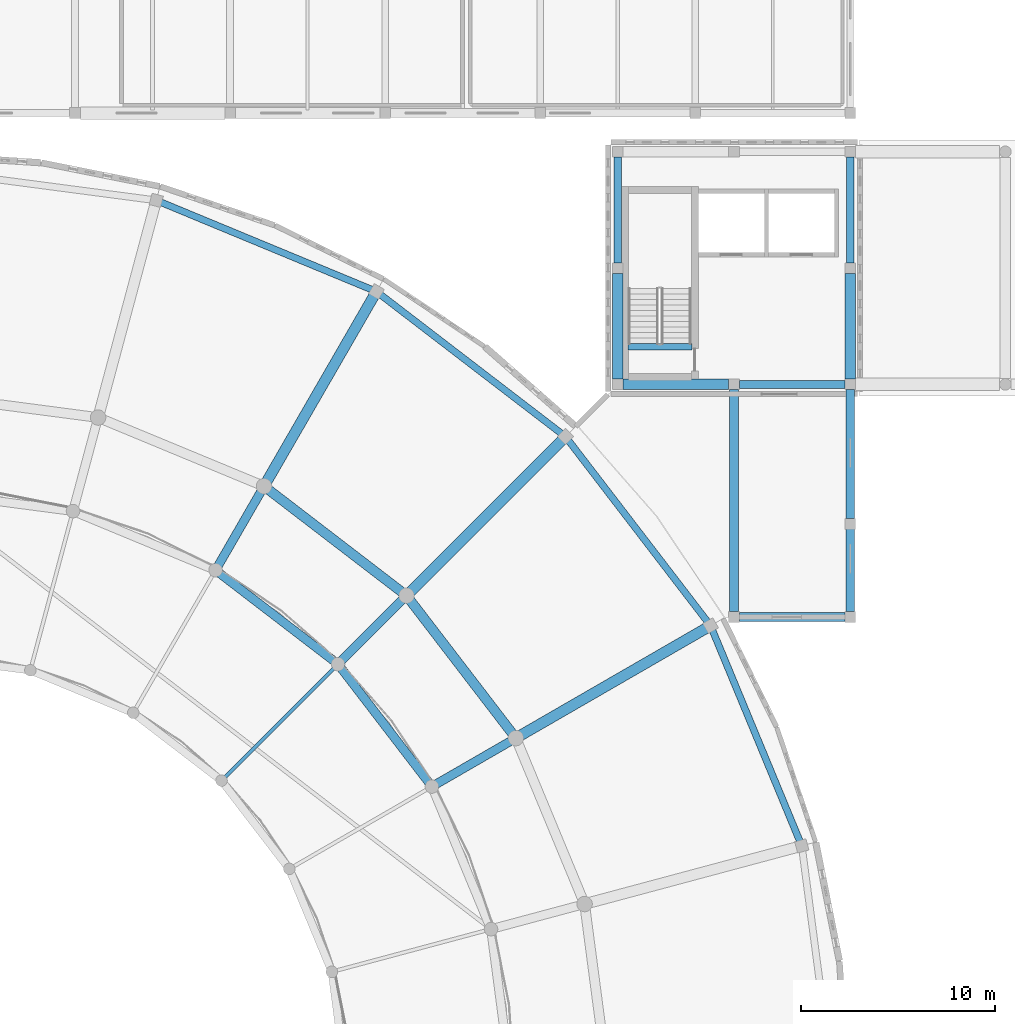
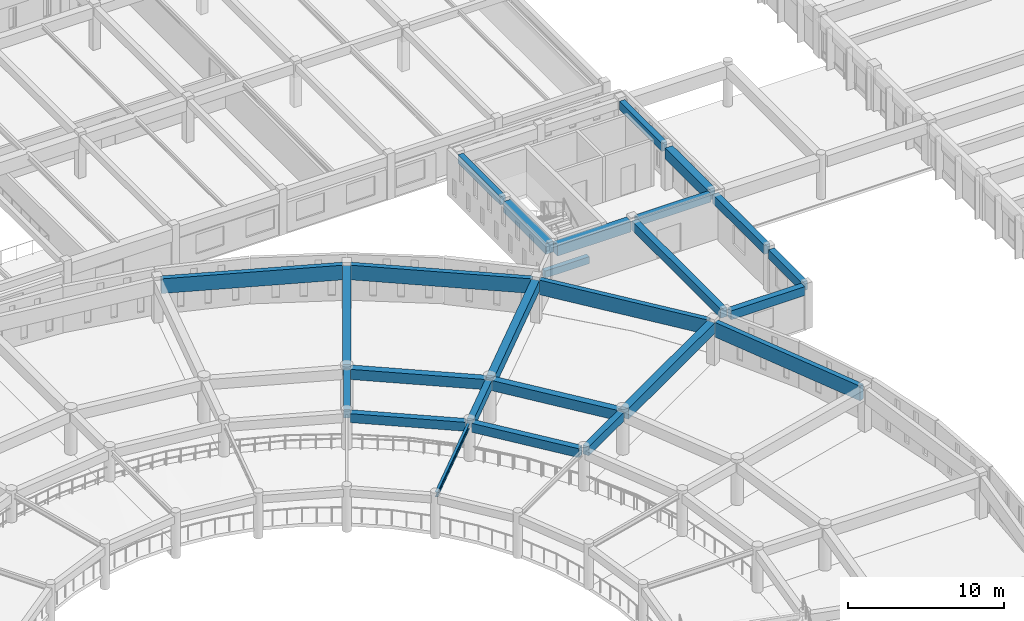
# One storey, part 21 of 155: 26 beams.
"""IFC4 building model written with IfcOpenShell, lengths in metres."""

from ifc_helpers import new_model, si_unit, direction, frame, origin, origin_2d, place, context, subcontext, project, spatial, rectangle, i_section, extrude, material, material_profile, profile_set, type_object, element, save


model = new_model("IFC4")

# Units and contexts
model_context = context("Model", 3, precision=1e-05, world=origin(), true_north=direction((0.0, 1.0)))
body_context = subcontext(model_context, "Body", "Model", "MODEL_VIEW")
ifc_project = project(units=[si_unit("LENGTHUNIT", "METRE"), si_unit("AREAUNIT", "SQUARE_METRE"), si_unit("VOLUMEUNIT", "CUBIC_METRE"), si_unit("PLANEANGLEUNIT", "RADIAN"), si_unit("MASSUNIT", "GRAM", prefix="KILO")], contexts=[model_context])

# Site, building, storey
site_placement = place(None, origin())
site = spatial("IfcSite", under=ifc_project, at=site_placement, CompositionType="ELEMENT")
building_placement = place(site_placement, origin())
building = spatial("IfcBuilding", under=site, at=building_placement, Name="Larkveld Mobility Hub", CompositionType="ELEMENT")
storey_placement = place(building_placement, frame((0.0, 0.0, 8.39990234375)))
storey = spatial("IfcBuildingStorey", under=building, at=storey_placement, Name="L02", CompositionType="ELEMENT", Elevation=8.39990234375)

# Beams
ifc_material_1 = material(Name="Concrete C40/50", Category="concrete")
ifc_material_profile_1 = material_profile(ifc_material_1, rectangle(XDim=0.35009765625, YDim=0.550048828125, at=origin_2d()), Name="RC BM 350x550")
ifc_profile_set_1 = profile_set([ifc_material_profile_1], Name="Concrete C40/50")
beam_type_1 = type_object("IfcBeamType", Name="BM-RC3555", PredefinedType="BEAM", material=ifc_profile_set_1)
beam_1_placement = place(storey_placement, frame((84.530029296875, 85.93994140625, -0.27001953125), z_axis=(1.0, 0.0, 0.0), x_axis=(0.0, 1.0, 0.0)))
element("IfcBeam", 1, at=beam_1_placement, inside=storey, type_object=beam_type_1, Name="Core C5 Stair Header Beam L02", PredefinedType="BEAM", context=body_context, shape_type="SweptSolid", body=[
    extrude(rectangle(XDim=0.35009765625, YDim=0.550048828125, at=origin_2d()), origin(), (0.0, 0.0, 1.0), 3.2900390625),
])
ifc_material_profile_2 = material_profile(ifc_material_1, rectangle(XDim=0.39990234375, YDim=0.64990234375, at=origin_2d()), Name="RC BM 400x650")
ifc_profile_set_2 = profile_set([ifc_material_profile_2], Name="Concrete C40/50")
beam_type_2 = type_object("IfcBeamType", Name="BM-RC4065", PredefinedType="BEAM", material=ifc_profile_set_2)
for number, where, z_axis, x_axis, name in (
    (2, (90.27490234375, 84.0, 3.03515625), (1.0, 0.0, 0.0), (0.0, 1.0, 0.0), "Primary E-W Girder L02-0527"),
    (3, (84.0, 90.27490234375, 3.03515625), (0.0, 1.0, 0.0), (-1.0, 0.0, 0.0), "Primary N-S Girder L02-0614"),
    (4, (96.0, 90.27490234375, 3.03515625), (0.0, 1.0, 0.0), (-1.0, 0.0, 0.0), "Primary N-S Girder L02-0619"),
):
    element("IfcBeam", number, at=place(storey_placement, frame(where, z_axis=z_axis, x_axis=x_axis)), inside=storey, type_object=beam_type_2, Name=name, PredefinedType="BEAM", context=body_context, shape_type="SweptSolid", body=[
        extrude(rectangle(XDim=0.39990234375, YDim=0.64990234375, at=origin_2d()), origin(), (0.0, 0.0, 1.0), 5.4501953125),
    ])
ifc_material_profile_3 = material_profile(ifc_material_1, rectangle(XDim=0.449951171875, YDim=0.699951171875, at=origin_2d()), Name="RC BM 450x700")
ifc_profile_set_3 = profile_set([ifc_material_profile_3], Name="Concrete C40/50")
beam_type_3 = type_object("IfcBeamType", Name="BM-RC4570", PredefinedType="BEAM", material=ifc_profile_set_3)
beam_2_placement = place(storey_placement, frame((90.27001953125, 72.0, 3.010009765625), z_axis=(1.0, 0.0, 0.0), x_axis=(0.0, 1.0, 0.0)))
element("IfcBeam", 5, at=beam_2_placement, inside=storey, type_object=beam_type_3, Name="Drum Link South Girder L02-0691", PredefinedType="BEAM", context=body_context, shape_type="SweptSolid", body=[
    extrude(rectangle(XDim=0.449951171875, YDim=0.699951171875, at=origin_2d()), origin(), (0.0, 0.0, 1.0), 5.4599609375),
])
beam_3_placement = place(storey_placement, frame((90.0, 72.27001953125, 3.010009765625), z_axis=(0.0, 1.0, 0.0), x_axis=(-1.0, 0.0, 0.0)))
element("IfcBeam", 6, at=beam_3_placement, inside=storey, type_object=beam_type_3, Name="Drum Link Spine Girder L02-0691", PredefinedType="BEAM", context=body_context, shape_type="SweptSolid", body=[
    extrude(rectangle(XDim=0.449951171875, YDim=0.699951171875, at=origin_2d()), origin(), (0.0, 0.0, 1.0), 11.4599609375),
])
beam_4_placement = place(storey_placement, frame((96.0, 72.27001953125, 3.010009765625), z_axis=(0.0, 1.0, 0.0), x_axis=(-1.0, 0.0, 0.0)))
element("IfcBeam", 7, at=beam_4_placement, inside=storey, type_object=beam_type_3, Name="Drum Link East Girder L02-0691", PredefinedType="BEAM", context=body_context, shape_type="SweptSolid", body=[
    extrude(rectangle(XDim=0.449951171875, YDim=0.699951171875, at=origin_2d()), origin(), (0.0, 0.0, 1.0), 4.260009765625),
])
beam_5_placement = place(storey_placement, frame((96.0, 77.070068359375, 3.010009765625), z_axis=(0.0, 1.0, 0.0), x_axis=(-1.0, 0.0, 0.0)))
element("IfcBeam", 8, at=beam_5_placement, inside=storey, type_object=beam_type_3, Name="Drum Link East Girder L02-0691", PredefinedType="BEAM", context=body_context, shape_type="SweptSolid", body=[
    extrude(rectangle(XDim=0.449951171875, YDim=0.699951171875, at=origin_2d()), origin(), (0.0, 0.0, 1.0), 6.659912109375),
])
beam_6_placement = place(storey_placement, frame((74.6220703125, 63.3701171875, 2.985107421875), z_axis=(0.86601375827, 0.50002017008, 0.0), x_axis=(-0.50002017008, 0.86601375827, 0.0)))
element("IfcBeam", 9, at=beam_6_placement, inside=storey, type_object=beam_type_3, Name="Drum Radial Girder L02-1556", PredefinedType="BEAM", context=body_context, shape_type="SweptSolid", body=[
    extrude(rectangle(XDim=0.449951171875, YDim=0.699951171875, at=origin_2d()), origin(), (0.0, 0.0, 1.0), 4.519287109375),
])
beam_7_placement = place(storey_placement, frame((69.737060546875, 69.737060546875, 2.985107421875), z_axis=(0.707106781187, 0.707106781187, 0.0), x_axis=(-0.707106781187, 0.707106781187, 0.0)))
element("IfcBeam", 10, at=beam_7_placement, inside=storey, type_object=beam_type_3, Name="Drum Radial Girder L02-1559", PredefinedType="BEAM", context=body_context, shape_type="SweptSolid", body=[
    extrude(rectangle(XDim=0.449951171875, YDim=0.699951171875, at=origin_2d()), origin(), (0.0, 0.0, 1.0), 4.51806640625),
])
beam_8_placement = place(storey_placement, frame((63.3701171875, 74.6220703125, 2.985107421875), z_axis=(0.50002017008, 0.86601375827, 0.0), x_axis=(-0.86601375827, 0.50002017008, 0.0)))
element("IfcBeam", 11, at=beam_8_placement, inside=storey, type_object=beam_type_3, Name="Drum Radial Girder L02-1562", PredefinedType="BEAM", context=body_context, shape_type="SweptSolid", body=[
    extrude(rectangle(XDim=0.449951171875, YDim=0.699951171875, at=origin_2d()), origin(), (0.0, 0.0, 1.0), 4.519287109375),
])
for number, where, z_axis, x_axis, name in (
    (12, (74.26806640625, 63.43994140625, 2.985107421875), (-0.608723281143, 0.793382610721, 0.0), (-0.793382610721, -0.608723281143, 0.0), "Drum Chord Ring Beam L02-1629"),
    (13, (69.376953125, 69.712890625, 2.985107421875), (-0.793382610721, 0.608723281143, 0.0), (-0.608723281143, -0.793382610721, 0.0), "Drum Chord Ring Beam L02-1633"),
):
    element("IfcBeam", number, at=place(storey_placement, frame(where, z_axis=z_axis, x_axis=x_axis)), inside=storey, type_object=beam_type_3, Name=name, PredefinedType="BEAM", context=body_context, shape_type="SweptSolid", body=[
        extrude(rectangle(XDim=0.449951171875, YDim=0.699951171875, at=origin_2d()), origin(), (0.0, 0.0, 1.0), 7.483154296875),
    ])
ifc_material_profile_4 = material_profile(ifc_material_1, rectangle(XDim=0.5, YDim=0.800048828125, at=origin_2d()), Name="RC BM 500x800")
ifc_profile_set_4 = profile_set([ifc_material_profile_4], Name="Concrete C40/50")
beam_type_4 = type_object("IfcBeamType", Name="BM-RC5080", PredefinedType="BEAM", material=ifc_profile_set_4)
for number, where, z_axis, x_axis, name in (
    (14, (78.597900390625, 65.93994140625, 2.93505859375), (-0.608755761591, 0.793357689021, 0.0), (-0.793357689021, -0.608755761591, 0.0), "Drum Chord Ring Beam L02-1630"),
    (15, (72.912109375, 73.248046875, 2.93505859375), (-0.793357689021, 0.608755761591, 0.0), (-0.608755761591, -0.793357689021, 0.0), "Drum Chord Ring Beam L02-1634"),
):
    element("IfcBeam", number, at=place(storey_placement, frame(where, z_axis=z_axis, x_axis=x_axis)), inside=storey, type_object=beam_type_4, Name=name, PredefinedType="BEAM", context=body_context, shape_type="SweptSolid", body=[
        extrude(rectangle(XDim=0.5, YDim=0.800048828125, at=origin_2d()), origin(), (0.0, 0.0, 1.0), 8.7880859375),
    ])
ifc_material_profile_5 = material_profile(ifc_material_1, rectangle(XDim=0.550048828125, YDim=0.85009765625, at=origin_2d()), Name="RC BM 550x850")
ifc_profile_set_5 = profile_set([ifc_material_profile_5], Name="Concrete C40/50")
beam_type_5 = type_object("IfcBeamType", Name="BM-RC5585", PredefinedType="BEAM", material=ifc_profile_set_5)
for number, where, z_axis, x_axis, name in (
    (16, (84.27490234375, 84.0, 2.93505859375), (1.0, 0.0, 0.0), (0.0, 1.0, 0.0), "Primary E-W Girder L02-0526"),
    (17, (84.0, 84.27490234375, 2.93505859375), (0.0, 1.0, 0.0), (-1.0, 0.0, 0.0), "Primary N-S Girder L02-0613"),
    (18, (96.0, 84.27490234375, 2.93505859375), (0.0, 1.0, 0.0), (-1.0, 0.0, 0.0), "Primary N-S Girder L02-0618"),
):
    element("IfcBeam", number, at=place(storey_placement, frame(where, z_axis=z_axis, x_axis=x_axis)), inside=storey, type_object=beam_type_5, Name=name, PredefinedType="BEAM", context=body_context, shape_type="SweptSolid", body=[
        extrude(rectangle(XDim=0.550048828125, YDim=0.85009765625, at=origin_2d()), origin(), (0.0, 0.0, 1.0), 5.4501953125),
    ])
beam_9_placement = place(storey_placement, frame((78.951904296875, 65.8701171875, 2.91015625), z_axis=(0.866030930781, 0.499990426839, 0.0), x_axis=(-0.499990426839, 0.866030930781, 0.0)))
element("IfcBeam", 19, at=beam_9_placement, inside=storey, type_object=beam_type_5, Name="Drum Radial Girder L02-1557", PredefinedType="BEAM", context=body_context, shape_type="SweptSolid", body=[
    extrude(rectangle(XDim=0.550048828125, YDim=0.85009765625, at=origin_2d()), origin(), (0.0, 0.0, 1.0), 11.119873046875),
])
beam_10_placement = place(storey_placement, frame((73.27197265625, 73.27197265625, 2.91015625), z_axis=(0.707106781187, 0.707106781187, 0.0), x_axis=(-0.707106781187, 0.707106781187, 0.0)))
element("IfcBeam", 20, at=beam_10_placement, inside=storey, type_object=beam_type_5, Name="Drum Radial Girder L02-1560", PredefinedType="BEAM", context=body_context, shape_type="SweptSolid", body=[
    extrude(rectangle(XDim=0.550048828125, YDim=0.85009765625, at=origin_2d()), origin(), (0.0, 0.0, 1.0), 11.1201171875),
])
beam_11_placement = place(storey_placement, frame((65.8701171875, 78.951904296875, 2.91015625), z_axis=(0.499990426839, 0.866030930781, 0.0), x_axis=(-0.866030930781, 0.499990426839, 0.0)))
element("IfcBeam", 21, at=beam_11_placement, inside=storey, type_object=beam_type_5, Name="Drum Radial Girder L02-1563", PredefinedType="BEAM", context=body_context, shape_type="SweptSolid", body=[
    extrude(rectangle(XDim=0.550048828125, YDim=0.85009765625, at=origin_2d()), origin(), (0.0, 0.0, 1.0), 11.119873046875),
])
ifc_material_2 = material(Name="Precast concrete C50/60", Category="concrete")
ifc_material_profile_6 = material_profile(ifc_material_2, rectangle(XDim=0.35009765625, YDim=1.14990234375, at=origin_2d()), Name="PC SP 350x1150")
ifc_profile_set_6 = profile_set([ifc_material_profile_6], Name="Precast concrete C50/60")
beam_type_6 = type_object("IfcBeamType", Name="BM-SP35115", PredefinedType="SPANDREL", material=ifc_profile_set_6)
beam_12_placement = place(storey_placement, frame((93.403076171875, 60.412109375, 2.760009765625), z_axis=(-0.38264987514, 0.923893431655, 0.0), x_axis=(-0.923893431655, -0.38264987514, 0.0)))
element("IfcBeam", 22, at=beam_12_placement, inside=storey, type_object=beam_type_6, Name="Drum Chord Ring Beam L02-1627", PredefinedType="SPANDREL", context=body_context, shape_type="SweptSolid", body=[
    extrude(rectangle(XDim=0.35009765625, YDim=1.14990234375, at=origin_2d()), origin(), (0.0, 0.0, 1.0), 11.81494140625),
])
for number, where, z_axis, x_axis, name in (
    (23, (88.64404296875, 71.739990234375, 2.760009765625), (-0.608730786402, 0.79337685225, 0.0), (-0.79337685225, -0.608730786402, 0.0), "Drum Chord Ring Beam L02-1631"),
    (24, (81.114990234375, 81.450927734375, 2.760009765625), (-0.79337685225, 0.608730786402, 0.0), (-0.608730786402, -0.79337685225, 0.0), "Drum Chord Ring Beam L02-1635"),
):
    element("IfcBeam", number, at=place(storey_placement, frame(where, z_axis=z_axis, x_axis=x_axis)), inside=storey, type_object=beam_type_6, Name=name, PredefinedType="SPANDREL", context=body_context, shape_type="SweptSolid", body=[
        extrude(rectangle(XDim=0.35009765625, YDim=1.14990234375, at=origin_2d()), origin(), (0.0, 0.0, 1.0), 11.816650390625),
    ])
beam_13_placement = place(storey_placement, frame((71.327880859375, 88.882080078125, 2.760009765625), z_axis=(-0.923893431655, 0.38264987514, 0.0), x_axis=(-0.38264987514, -0.923893431655, 0.0)))
element("IfcBeam", 25, at=beam_13_placement, inside=storey, type_object=beam_type_6, Name="Drum Chord Ring Beam L02-1639", PredefinedType="SPANDREL", context=body_context, shape_type="SweptSolid", body=[
    extrude(rectangle(XDim=0.35009765625, YDim=1.14990234375, at=origin_2d()), origin(), (0.0, 0.0, 1.0), 11.81494140625),
])
ifc_material_3 = material(Name="Steel S355JR", Category="steel")
ifc_material_profile_7 = material_profile(ifc_material_3, i_section(OverallWidth=0.179931640625, OverallDepth=0.39990234375, WebThickness=0.008544921875, FlangeThickness=0.013427734375, FilletRadius=0.02099609375, at=origin_2d()), Name="IPE 400")
ifc_profile_set_7 = profile_set([ifc_material_profile_7], Name="Steel S355JR")
beam_type_7 = type_object("IfcBeamType", Name="BM-STIPE400", PredefinedType="BEAM", material=ifc_profile_set_7)
beam_14_placement = place(storey_placement, frame((63.72607421875, 63.72607421875, 3.135009765625), z_axis=(0.707106781187, 0.707106781187, 0.0), x_axis=(-0.707106781187, 0.707106781187, 0.0)))
element("IfcBeam", 26, at=beam_14_placement, inside=storey, type_object=beam_type_7, Name="Drum Radial Girder L02-1558", PredefinedType="BEAM", context=body_context, shape_type="SweptSolid", body=[
    extrude(i_section(OverallWidth=0.179931640625, OverallDepth=0.39990234375, WebThickness=0.008544921875, FlangeThickness=0.013427734375, FilletRadius=0.02099609375, at=origin_2d()), origin(), (0.0, 0.0, 1.0), 8.019775390625),
])

save(model, "model.ifc")
